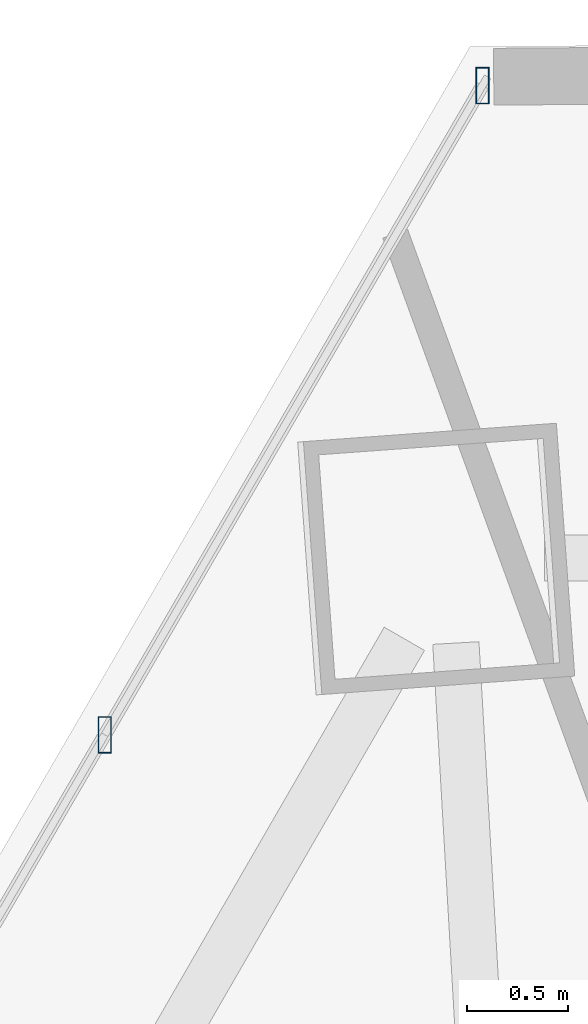
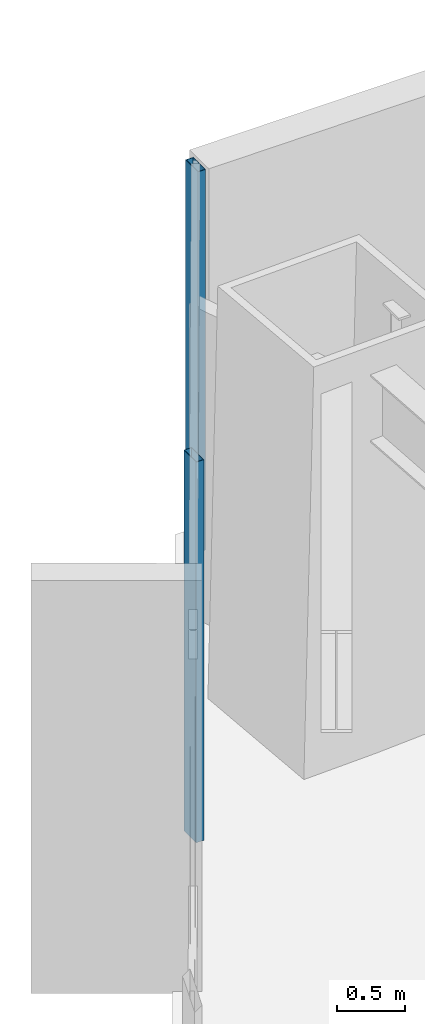
# One storey, part 26 of 36: 2 members, 1 element without a shape of its own.
"""IFC4 building model written with IfcOpenShell, lengths in metres."""

from ifc_helpers import new_model, si_unit, direction, frame, origin, origin_2d, place, context, subcontext, project, spatial, hollow_rectangle, extrude, source, transform, mapped, material, material_profile, profile_set, type_object, type_shapes, element, aggregate, save


model = new_model("IFC4")

# Units and contexts
model_context = context("Model", 3, precision=1e-05, world=origin(), true_north=direction((0.0, 1.0)))
body_context = subcontext(model_context, "Body", "Model", "MODEL_VIEW")
ifc_project = project(units=[si_unit("LENGTHUNIT", "METRE"), si_unit("AREAUNIT", "SQUARE_METRE"), si_unit("VOLUMEUNIT", "CUBIC_METRE"), si_unit("PLANEANGLEUNIT", "RADIAN"), si_unit("MASSUNIT", "GRAM", prefix="KILO")], contexts=[model_context])

# Site, building, storey
site_placement = place(None, origin())
site = spatial("IfcSite", under=ifc_project, at=site_placement, CompositionType="ELEMENT")
building_placement = place(site_placement, origin())
building = spatial("IfcBuilding", under=site, at=building_placement, Name="Caelisora Broadcast Tower", CompositionType="ELEMENT")
storey_placement = place(building_placement, frame((0.0, 0.0, 60.449951171875)))
storey = spatial("IfcBuildingStorey", under=building, at=storey_placement, Name="L15", CompositionType="ELEMENT", Elevation=60.449951171875)

# Curtain wall, members
ifc_material_1 = material(Name="Unitised Aluminium and Low-E Glass Curtain Wall", Category="glass")
curtain_wall_type = type_object("IfcCurtainWallType", Name="CW-Z1", PredefinedType="NOTDEFINED", material=ifc_material_1)
curtain_wall_placement = place(storey_placement, origin())
curtain_wall = element("IfcCurtainWall", 1, at=curtain_wall_placement, inside=storey, type_object=curtain_wall_type, Name="L15 curtain wall CW-Z1", PredefinedType="NOTDEFINED")
ifc_material_2 = material(Name="Aluminium 6063-T6 Anodised Terracotta Bronze", Category="aluminium")
ifc_material_profile = material_profile(ifc_material_2, hollow_rectangle(XDim=0.06494140625, YDim=0.179931640625, WallThickness=0.00341796875, at=origin_2d()), Name="Aluminium 6063-T6 Anodised Terracotta Bronze")
ifc_profile_set = profile_set([ifc_material_profile], Name="Aluminium 6063-T6 Anodised Terracotta Bronze")
member_type = type_object("IfcMemberType", Name="CWM-02", PredefinedType="MULLION", material=ifc_profile_set)
shared_shape = source(origin(), body_context, "Body", "SweptSolid", [
    extrude(hollow_rectangle(XDim=0.06494140625, YDim=0.179931640625, WallThickness=0.00341796875, at=origin_2d()), origin(), (0.0, 0.0, 1.0), 3.400146484375),
])
type_shapes(member_type, [shared_shape])
member_1_placement = place(storey_placement, frame((27.853271484375, 45.464599609375, 0.0), z_axis=(0.0, 0.0, 1.0), x_axis=(1.0, 0.0, 0.0)))
member_1 = element("IfcMember", 2, at=member_1_placement, type_object=member_type, Name="L15-CW-B11 mullion #2", PredefinedType="MULLION", context=body_context, shape_type="MappedRepresentation", body=[
    mapped(shared_shape, transform((0.0, 0.0, 0.0), scale=1.0)),
])
member_2_placement = place(storey_placement, frame((29.7158203125, 48.665771484375, 0.0), z_axis=(0.0, 0.0, 1.0), x_axis=(1.0, 0.0, 0.0)))
member_2 = element("IfcMember", 3, at=member_2_placement, type_object=member_type, Name="L15-CW-B11 mullion #3", PredefinedType="MULLION", context=body_context, shape_type="MappedRepresentation", body=[
    mapped(shared_shape, transform((0.0, 0.0, 0.0), scale=1.0)),
])
aggregate(curtain_wall, [member_1, member_2])

save(model, "model.ifc")
